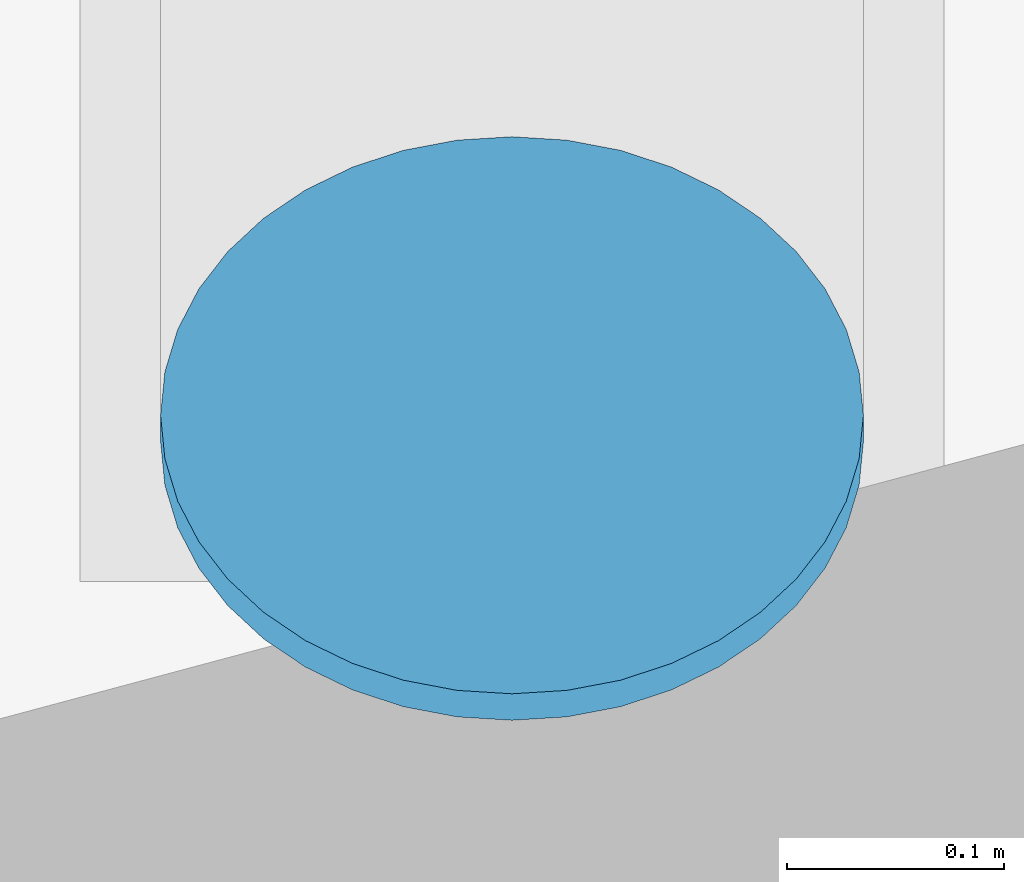
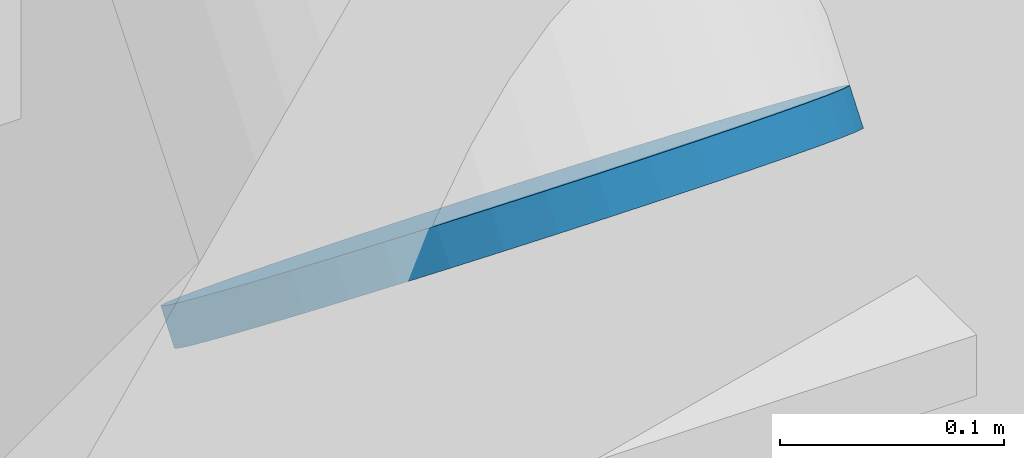
# One storey, part 11 of 18: 1 discrete accessory.
"""IFC4 building model written with IfcOpenShell, lengths in metres."""

from ifc_helpers import new_model, si_unit, direction, frame, origin, origin_2d, place, context, subcontext, project, spatial, circle, extrude, material, material_profile, profile_set, type_object, element, save


model = new_model("IFC4")

# Units and contexts
model_context = context("Model", 3, precision=1e-05, world=origin(), true_north=direction((0.0, 1.0)))
body_context = subcontext(model_context, "Body", "Model", "MODEL_VIEW")
ifc_project = project(units=[si_unit("LENGTHUNIT", "METRE"), si_unit("AREAUNIT", "SQUARE_METRE"), si_unit("VOLUMEUNIT", "CUBIC_METRE"), si_unit("PLANEANGLEUNIT", "RADIAN"), si_unit("MASSUNIT", "GRAM", prefix="KILO")], contexts=[model_context])

# Site, building, storey
site_placement = place(None, origin())
site = spatial("IfcSite", under=ifc_project, at=site_placement, CompositionType="ELEMENT")
building_placement = place(site_placement, origin())
building = spatial("IfcBuilding", under=site, at=building_placement, Name="Dhurran Vertical Campus", CompositionType="ELEMENT")
storey_placement = place(building_placement, frame((0.0, 0.0, 76.800048828125)))
storey = spatial("IfcBuildingStorey", under=building, at=storey_placement, Name="L18 Plant", CompositionType="ELEMENT", Elevation=76.800048828125)

# Discrete accessory
ifc_material = material(Name="Steel S355J2", Category="steel")
ifc_material_profile = material_profile(ifc_material, circle(Radius=0.161865234375, at=origin_2d()), Name="Tube end cap 324 x 20")
ifc_profile_set = profile_set([ifc_material_profile], Name="Steel S355J2")
discrete_accessory_type = type_object("IfcDiscreteAccessoryType", Name="Tube end cap 324 x 20", PredefinedType="USERDEFINED", material=ifc_profile_set)
discrete_accessory_placement = place(storey_placement, frame((-39.039794921875, -1.218994140625, 0.486083984375), z_axis=(0.0, -0.60971076085, -0.792623989105), x_axis=(1.0, 0.0, 0.0)))
element("IfcDiscreteAccessory", 1, at=discrete_accessory_placement, inside=storey, type_object=discrete_accessory_type, Name="EC1 belt L18 d43 capA", ObjectType="END CAP", PredefinedType="USERDEFINED", context=body_context, shape_type="SweptSolid", body=[
    extrude(circle(Radius=0.161865234375, at=origin_2d()), origin(), (0.0, 0.0, 1.0), 0.02001953125),
])

save(model, "model.ifc")
